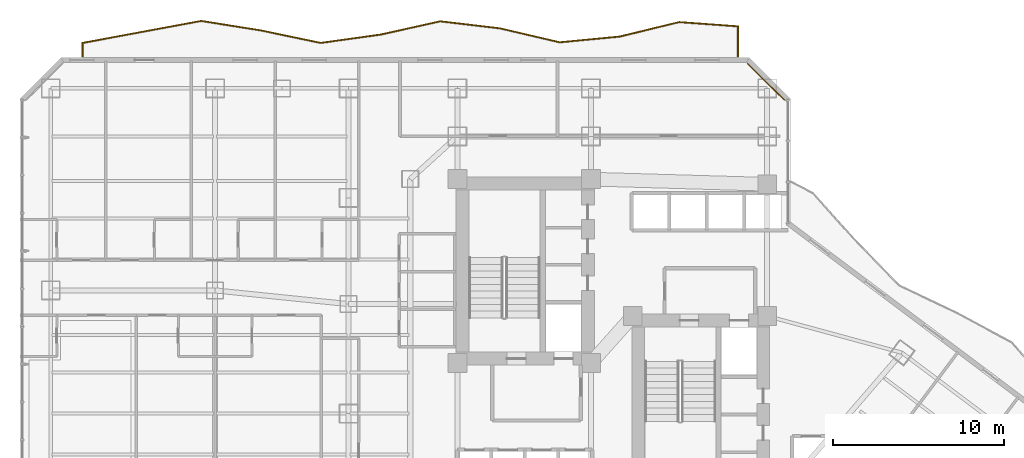
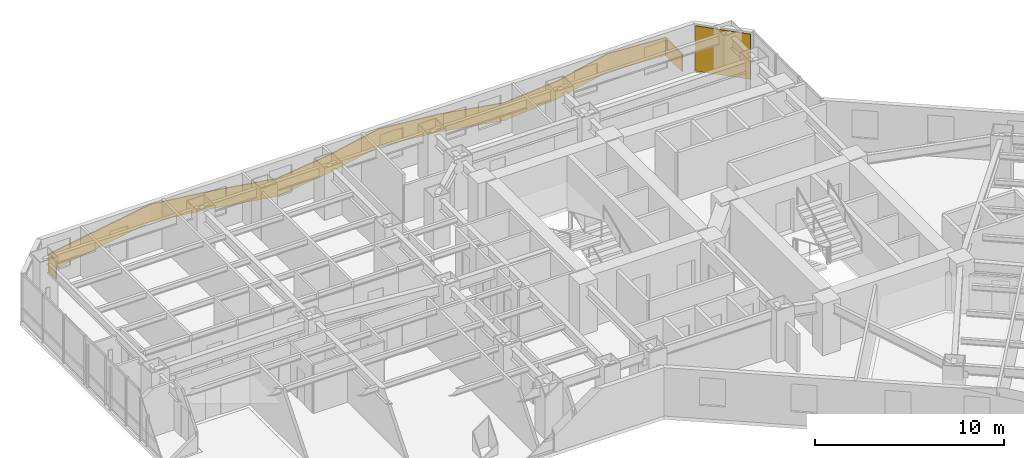
# One storey, part 37 of 38: 1 covering, 1 railing.
"""IFC4 building model written with IfcOpenShell, lengths in metres."""

from ifc_helpers import new_model, si_unit, direction, frame, origin, origin_2d, place, context, subcontext, project, spatial, polyline, rectangle, outline, extrude, material, layer, layer_set, type_object, element, save


model = new_model("IFC4")

# Units and contexts
model_context = context("Model", 3, precision=1e-05, world=origin(), true_north=direction((0.0, 1.0)))
body_context = subcontext(model_context, "Body", "Model", "MODEL_VIEW")
ifc_project = project(units=[si_unit("LENGTHUNIT", "METRE"), si_unit("AREAUNIT", "SQUARE_METRE"), si_unit("VOLUMEUNIT", "CUBIC_METRE"), si_unit("PLANEANGLEUNIT", "RADIAN"), si_unit("MASSUNIT", "GRAM", prefix="KILO")], contexts=[model_context])

# Site, building, storey
site_placement = place(None, origin())
site = spatial("IfcSite", under=ifc_project, at=site_placement, CompositionType="ELEMENT")
building_placement = place(site_placement, origin())
building = spatial("IfcBuilding", under=site, at=building_placement, Name="Hatsunagi Terrace Concourse", CompositionType="ELEMENT")
storey_placement = place(building_placement, frame((0.0, 0.0, 60.050048828125)))
storey = spatial("IfcBuildingStorey", under=building, at=storey_placement, Name="L15", CompositionType="ELEMENT", Elevation=60.050048828125)

# Railing
ifc_material_1 = material(Name="Laminated Glass and Stainless Steel Guard", Category="steel")
ifc_layer_1 = layer(ifc_material_1, 0.070068359375)
ifc_layer_set_1 = layer_set([ifc_layer_1], Name="BalconyGlassGuardRail_1150")
railing_type = type_object("IfcRailingType", Name="BalconyGlassGuardRail_1150", PredefinedType="BALUSTRADE", material=ifc_layer_set_1)
railing_placement = place(storey_placement, origin())
element("IfcRailing", 1, at=railing_placement, inside=storey, type_object=railing_type, Name="Engawa Balcony Guard GRD-01 L15-BN-1", PredefinedType="BALUSTRADE", context=body_context, shape_type="SweptSolid", body=[
    extrude(outline(polyline([(3.614990234375, 50.449951171875), (3.68505859375, 50.449951171875), (3.68505859375, 51.22900390625), (10.58349609375, 52.510498046875), (14.0576171875, 51.95849609375), (17.560791015625, 51.2255859375), (21.0703125, 51.71337890625), (24.5498046875, 52.487548828125), (28.02099609375, 52.07958984375), (31.521484375, 51.260498046875), (35.03173828125, 51.596435546875), (38.515869140625, 52.442626953125), (41.9150390625, 52.195556640625), (41.9150390625, 50.449951171875), (41.985107421875, 50.449951171875), (41.985107421875, 52.260498046875), (38.510009765625, 52.51318359375), (35.020263671875, 51.66552734375), (31.5263671875, 51.331298828125), (28.032958984375, 52.1484375), (24.546142578125, 52.55859375), (21.057861328125, 51.782470703125), (17.563232421875, 51.29638671875), (14.0703125, 52.02734375), (10.58251953125, 52.58154296875), (3.614990234375, 51.287109375), (3.614990234375, 50.449951171875)])), origin(), (0.0, 0.0, 1.0), 1.14990234375),
])

# Covering
ifc_material_2 = material(Name="Unglazed Warm Terracotta Rainscreen Tile", Category="masonry")
ifc_layer_2 = layer(ifc_material_2, 0.044921875)
ifc_layer_set_2 = layer_set([ifc_layer_2], Name="TerracottaRainscreenCladding_45")
covering_type = type_object("IfcCoveringType", Name="TerracottaRainscreenCladding_45", PredefinedType="CLADDING", material=ifc_layer_set_2)
covering_placement = place(storey_placement, frame((43.5859375, 48.986083984375, 0.10009765625), z_axis=(0.0, 0.0, 1.0), x_axis=(0.707106781187, -0.707106781187, 0.0)))
element("IfcCovering", 2, at=covering_placement, inside=storey, type_object=covering_type, Name="Terracotta Rainscreen Cladding L15-12", PredefinedType="CLADDING", context=body_context, shape_type="SweptSolid", body=[
    extrude(rectangle(XDim=3.0380859375, YDim=0.044921875, at=origin_2d()), origin(), (0.0, 0.0, 1.0), 2.929931640625),
])

save(model, "model.ifc")
